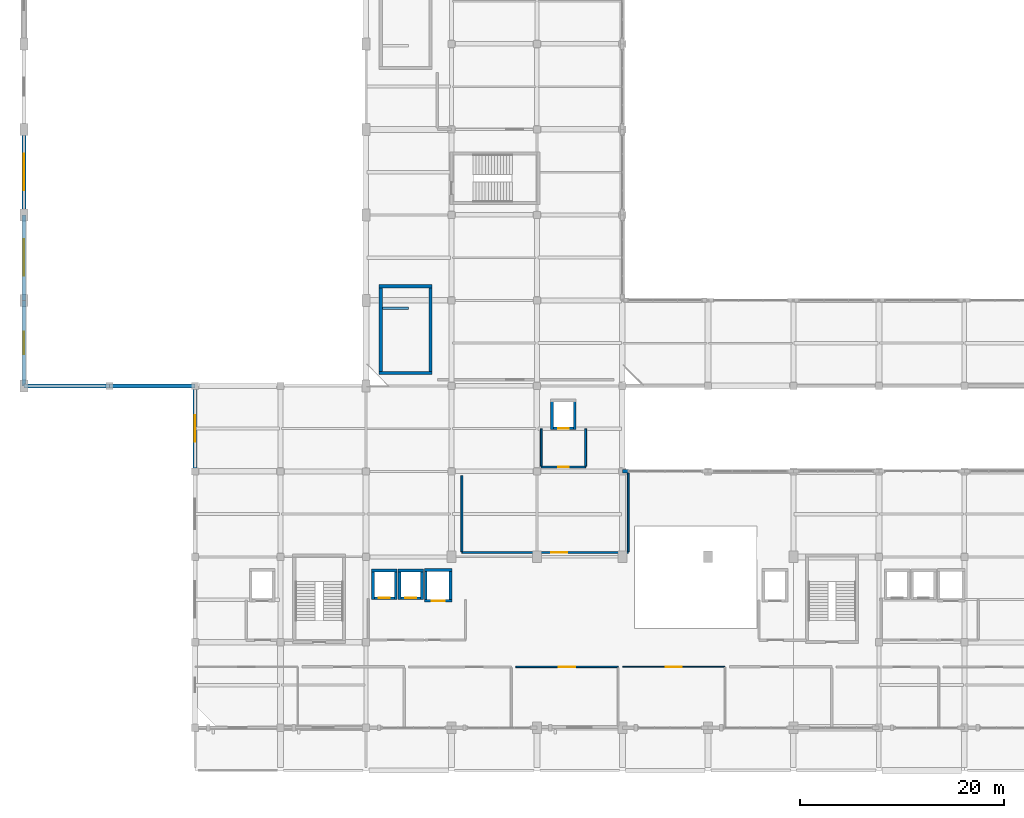
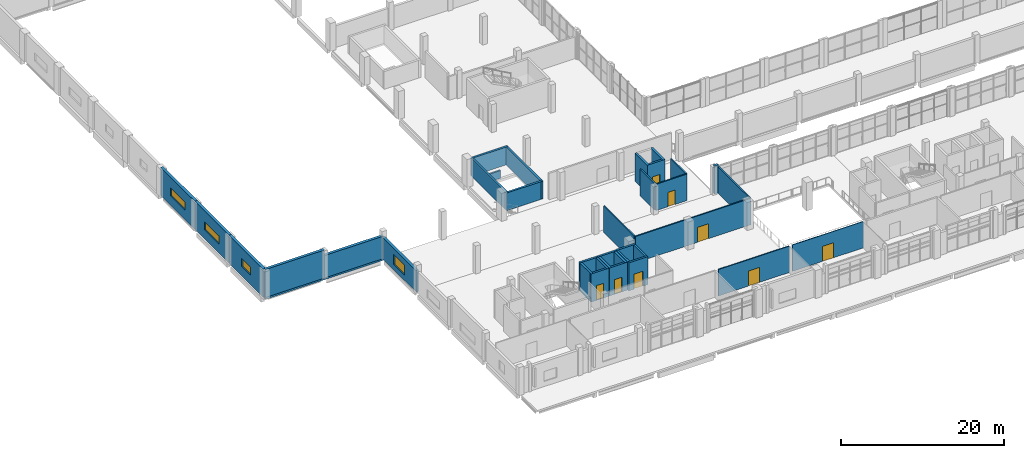
# One storey, part 47 of 59: 37 walls, 8 doors, 4 windows, 12 openings.
"""IFC4 building model written with IfcOpenShell, lengths in metres."""

from ifc_helpers import new_model, si_unit, derived_unit, direction, frame, frame_2d, origin, place, context, subcontext, project, spatial, rectangle, extrude, material, layer, layer_set, type_object, element, fill, save


model = new_model("IFC4")

# Units and contexts
model_context = context("Model", 3, precision=1e-05, world=origin(), true_north=direction((0.0, 1.0)))
body_context = subcontext(model_context, "Body", "Model", "MODEL_VIEW")
ifc_project = project(units=[si_unit("LENGTHUNIT", "METRE"), si_unit("AREAUNIT", "SQUARE_METRE"), si_unit("VOLUMEUNIT", "CUBIC_METRE"), si_unit("PLANEANGLEUNIT", "RADIAN"), si_unit("MASSUNIT", "GRAM", prefix="KILO"), derived_unit("THERMALTRANSMITTANCEUNIT", [(si_unit("POWERUNIT", "WATT"), 1), (si_unit("LENGTHUNIT", "METRE"), -2), (si_unit("THERMODYNAMICTEMPERATUREUNIT", "KELVIN"), -1)])], contexts=[model_context])

# Site, building, storey
site_placement = place(None, origin())
site = spatial("IfcSite", under=ifc_project, at=site_placement, CompositionType="ELEMENT")
building_placement = place(site_placement, origin())
building = spatial("IfcBuilding", under=site, at=building_placement, Name="Barrovel Congress Hotel", CompositionType="ELEMENT")
storey_placement = place(building_placement, frame((0.0, 0.0, 9.89990234375)))
storey = spatial("IfcBuildingStorey", under=building, at=storey_placement, Name="L02", CompositionType="ELEMENT", Elevation=9.89990234375)

# Wall
ifc_material_1 = material(Name="Fired Clay Brick Masonry", Category="masonry")
ifc_layer_1 = layer(ifc_material_1, 0.340087890625)
ifc_layer_set_1 = layer_set([ifc_layer_1], Name="Fired Clay Brick Masonry")
wall_type_1 = type_object("IfcWallType", Name="EW-BRK340", PredefinedType="STANDARD", material=ifc_layer_set_1)
wall_1_placement = place(storey_placement, frame((59.39990234375, 29.39990234375, 0.0), z_axis=(0.0, 0.0, 1.0), x_axis=(-1.0, 0.0, 0.0)))
element("IfcWall", 1, at=wall_1_placement, inside=storey, type_object=wall_type_1, Name="EW:L02:CSJ-L:7", PredefinedType="STANDARD", context=body_context, shape_type="SweptSolid", body=[
    extrude(rectangle(XDim=0.599853515625, YDim=0.340087890625, at=frame_2d((0.2998046875, 0.0))), origin(), (0.0, 0.0, 1.0), 4.2001953125),
])

# Wall, opening, window
ifc_layer_2 = layer(ifc_material_1, 0.360107421875)
ifc_layer_set_2 = layer_set([ifc_layer_2], Name="Fired Clay Brick Masonry")
wall_type_2 = type_object("IfcWallType", Name="EW-BRK360", PredefinedType="STANDARD", material=ifc_layer_set_2)
wall_2_placement = place(storey_placement, frame((16.800048828125, 37.800048828125, 0.0), z_axis=(0.0, 0.0, 1.0), x_axis=(0.0, -1.0, 0.0)))
wall_2 = element("IfcWall", 2, at=wall_2_placement, inside=storey, type_object=wall_type_2, Name="EW:L02:V4W:29.4", PredefinedType="STANDARD", context=body_context, shape_type="SweptSolid", body=[
    extrude(rectangle(XDim=8.400146484375, YDim=0.360107421875, at=frame_2d((4.2001953125, 0.0))), origin(), (0.0, 0.0, 1.0), 3.210205078125),
])
opening_1_placement = place(wall_2_placement, frame((2.89990234375, 0.0, 0.800048828125)))
opening_1 = element("IfcOpeningElement", 3, at=opening_1_placement, cuts=wall_2, Name="Opening WN-15", PredefinedType="OPENING", context=body_context, shape_type="SweptSolid", body=[
    extrude(rectangle(XDim=2.60009765625, YDim=1.5, at=frame_2d((1.300048828125, 0.75))), frame((0.0, 0.18994140625, 0.0), z_axis=(0.0, -1.0, 0.0), x_axis=(1.0, 0.0, 0.0)), (0.0, 0.0, 1.0), 0.380126953125),
])
ifc_material_2 = material(Name="Double Low-E Insulated Glazing", Category="glass")
window_type_1 = type_object("IfcWindowType", Name="WIN-WN-15", PartitioningType="SINGLE_PANEL", PredefinedType="WINDOW", material=ifc_material_2)
window_1_placement = place(opening_1_placement, origin())
window_1 = element("IfcWindow", 4, at=window_1_placement, inside=storey, type_object=window_type_1, Name="WIN:L02:V4W:29.4", OverallHeight=1.5, OverallWidth=2.60009765625, PartitioningType="SINGLE_PANEL", PredefinedType="WINDOW", context=body_context, shape_type="SweptSolid", body=[
    extrude(rectangle(XDim=2.60009765625, YDim=1.5, at=frame_2d((1.300048828125, 0.75))), frame((0.0, 0.030029296875, 0.0), z_axis=(0.0, -1.0, 0.0), x_axis=(1.0, 0.0, 0.0)), (0.0, 0.0, 1.0), 0.06005859375),
])
fill(opening_1, window_1)

ifc_layer_3 = layer(ifc_material_1, 0.3798828125)
ifc_layer_set_3 = layer_set([ifc_layer_3], Name="Fired Clay Brick Masonry")
wall_type_3 = type_object("IfcWallType", Name="EW-BRK380", PredefinedType="STANDARD", material=ifc_layer_set_3)
wall_3_placement = place(storey_placement, frame((0.0, 63.0, 0.0), z_axis=(0.0, 0.0, 1.0), x_axis=(0.0, -1.0, 0.0)))
wall_3 = element("IfcWall", 5, at=wall_3_placement, inside=storey, type_object=wall_type_3, Name="EW:L02:V1W:54.6", PredefinedType="STANDARD", context=body_context, shape_type="SweptSolid", body=[
    extrude(rectangle(XDim=8.39990234375, YDim=0.3798828125, at=frame_2d((4.199951171875, 0.0))), origin(), (0.0, 0.0, 1.0), 4.2001953125),
])
opening_2_placement = place(wall_3_placement, frame((2.39990234375, 0.0, 1.39990234375)))
opening_2 = element("IfcOpeningElement", 6, at=opening_2_placement, cuts=wall_3, Name="Opening WN-17", PredefinedType="OPENING", context=body_context, shape_type="SweptSolid", body=[
    extrude(rectangle(XDim=3.60009765625, YDim=1.199951171875, at=frame_2d((1.800048828125, 0.60009765625))), frame((0.0, 0.199951171875, 0.0), z_axis=(0.0, -1.0, 0.0), x_axis=(1.0, 0.0, 0.0)), (0.0, 0.0, 1.0), 0.39990234375),
])
window_type_2 = type_object("IfcWindowType", Name="WIN-WN-17", PartitioningType="SINGLE_PANEL", PredefinedType="WINDOW", material=ifc_material_2)
window_2_placement = place(opening_2_placement, origin())
window_2 = element("IfcWindow", 7, at=window_2_placement, inside=storey, type_object=window_type_2, Name="WIN:L02:NAVEW:54.6", OverallHeight=1.199951171875, OverallWidth=3.60009765625, PartitioningType="SINGLE_PANEL", PredefinedType="WINDOW", context=body_context, shape_type="SweptSolid", body=[
    extrude(rectangle(XDim=3.60009765625, YDim=1.199951171875, at=frame_2d((1.800048828125, 0.60009765625))), frame((0.0, 0.030029296875, 0.0), z_axis=(0.0, -1.0, 0.0), x_axis=(1.0, 0.0, 0.0)), (0.0, 0.0, 1.0), 0.06005859375),
])
fill(opening_2, window_2)

wall_4_placement = place(storey_placement, frame((0.0, 54.60009765625, 0.0), z_axis=(0.0, 0.0, 1.0), x_axis=(0.0, -1.0, 0.0)))
wall_4 = element("IfcWall", 8, at=wall_4_placement, inside=storey, type_object=wall_type_3, Name="EW:L02:V1W:46.2", PredefinedType="STANDARD", context=body_context, shape_type="SweptSolid", body=[
    extrude(rectangle(XDim=8.400146484375, YDim=0.3798828125, at=frame_2d((4.2001953125, 0.0))), origin(), (0.0, 0.0, 1.0), 4.2001953125),
])
opening_3_placement = place(wall_4_placement, frame((2.39990234375, 0.0, 1.39990234375)))
opening_3 = element("IfcOpeningElement", 9, at=opening_3_placement, cuts=wall_4, Name="Opening WN-17", PredefinedType="OPENING", context=body_context, shape_type="SweptSolid", body=[
    extrude(rectangle(XDim=3.60009765625, YDim=1.199951171875, at=frame_2d((1.800048828125, 0.60009765625))), frame((0.0, 0.199951171875, 0.0), z_axis=(0.0, -1.0, 0.0), x_axis=(1.0, 0.0, 0.0)), (0.0, 0.0, 1.0), 0.39990234375),
])
window_3_placement = place(opening_3_placement, origin())
window_3 = element("IfcWindow", 10, at=window_3_placement, inside=storey, type_object=window_type_2, Name="WIN:L02:NAVEW:46.2", OverallHeight=1.199951171875, OverallWidth=3.60009765625, PartitioningType="SINGLE_PANEL", PredefinedType="WINDOW", context=body_context, shape_type="SweptSolid", body=[
    extrude(rectangle(XDim=3.60009765625, YDim=1.199951171875, at=frame_2d((1.800048828125, 0.60009765625))), frame((0.0, 0.030029296875, 0.0), z_axis=(0.0, -1.0, 0.0), x_axis=(1.0, 0.0, 0.0)), (0.0, 0.0, 1.0), 0.06005859375),
])
fill(opening_3, window_3)

wall_5_placement = place(storey_placement, frame((0.0, 46.199951171875, 0.0), z_axis=(0.0, 0.0, 1.0), x_axis=(0.0, -1.0, 0.0)))
wall_5 = element("IfcWall", 11, at=wall_5_placement, inside=storey, type_object=wall_type_3, Name="EW:L02:V1W:37.8", PredefinedType="STANDARD", context=body_context, shape_type="SweptSolid", body=[
    extrude(rectangle(XDim=8.39990234375, YDim=0.3798828125, at=frame_2d((4.199951171875, 0.0))), origin(), (0.0, 0.0, 1.0), 4.2001953125),
])
opening_4_placement = place(wall_5_placement, frame((3.10009765625, 0.0, 1.39990234375)))
opening_4 = element("IfcOpeningElement", 12, at=opening_4_placement, cuts=wall_5, Name="Opening WN-20", PredefinedType="OPENING", context=body_context, shape_type="SweptSolid", body=[
    extrude(rectangle(XDim=2.199951171875, YDim=1.199951171875, at=frame_2d((1.10009765625, 0.60009765625))), frame((0.0, 0.199951171875, 0.0), z_axis=(0.0, -1.0, 0.0), x_axis=(1.0, 0.0, 0.0)), (0.0, 0.0, 1.0), 0.39990234375),
])
window_type_3 = type_object("IfcWindowType", Name="WIN-WN-20", PartitioningType="SINGLE_PANEL", PredefinedType="WINDOW", material=ifc_material_2)
window_4_placement = place(opening_4_placement, origin())
window_4 = element("IfcWindow", 13, at=window_4_placement, inside=storey, type_object=window_type_3, Name="WIN:L02:NAVEW:37.8", OverallHeight=1.199951171875, OverallWidth=2.199951171875, PartitioningType="SINGLE_PANEL", PredefinedType="WINDOW", context=body_context, shape_type="SweptSolid", body=[
    extrude(rectangle(XDim=2.199951171875, YDim=1.199951171875, at=frame_2d((1.10009765625, 0.60009765625))), frame((0.0, 0.030029296875, 0.0), z_axis=(0.0, -1.0, 0.0), x_axis=(1.0, 0.0, 0.0)), (0.0, 0.0, 1.0), 0.06005859375),
])
fill(opening_4, window_4)

# Walls
wall_6_placement = place(storey_placement, frame((0.0, 37.800048828125, 0.0), z_axis=(0.0, 0.0, 1.0), x_axis=(1.0, 0.0, 0.0)))
element("IfcWall", 14, at=wall_6_placement, inside=storey, type_object=wall_type_3, Name="EW:L02:V1S:0", PredefinedType="STANDARD", context=body_context, shape_type="SweptSolid", body=[
    extrude(rectangle(XDim=8.39990234375, YDim=0.3798828125, at=frame_2d((4.199951171875, 0.0))), origin(), (0.0, 0.0, 1.0), 4.2001953125),
])
wall_7_placement = place(storey_placement, frame((8.39990234375, 37.800048828125, 0.0), z_axis=(0.0, 0.0, 1.0), x_axis=(1.0, 0.0, 0.0)))
element("IfcWall", 15, at=wall_7_placement, inside=storey, type_object=wall_type_3, Name="EW:L02:V1S:1", PredefinedType="STANDARD", context=body_context, shape_type="SweptSolid", body=[
    extrude(rectangle(XDim=8.400146484375, YDim=0.3798828125, at=frame_2d((4.2001953125, 0.0))), origin(), (0.0, 0.0, 1.0), 3.360107421875),
])
wall_8_placement = place(storey_placement, frame((0.0, 37.800048828125, -0.260009765625), z_axis=(0.0, 0.0, 1.0), x_axis=(1.0, 0.0, 0.0)))
element("IfcWall", 16, at=wall_8_placement, inside=storey, type_object=wall_type_3, Name="EW:L02:V1S:0:B", PredefinedType="STANDARD", context=body_context, shape_type="SweptSolid", body=[
    extrude(rectangle(XDim=8.39990234375, YDim=0.3798828125, at=frame_2d((4.199951171875, 0.0))), origin(), (0.0, 0.0, 1.0), 0.260009765625),
])
wall_9_placement = place(storey_placement, frame((8.39990234375, 37.800048828125, -0.260009765625), z_axis=(0.0, 0.0, 1.0), x_axis=(1.0, 0.0, 0.0)))
element("IfcWall", 17, at=wall_9_placement, inside=storey, type_object=wall_type_3, Name="EW:L02:V1S:1:B", PredefinedType="STANDARD", context=body_context, shape_type="SweptSolid", body=[
    extrude(rectangle(XDim=8.400146484375, YDim=0.3798828125, at=frame_2d((4.2001953125, 0.0))), origin(), (0.0, 0.0, 1.0), 0.260009765625),
])
ifc_layer_4 = layer(ifc_material_1, 0.219970703125)
ifc_layer_set_4 = layer_set([ifc_layer_4], Name="Fired Clay Brick Masonry")
wall_type_4 = type_object("IfcWallType", Name="EW-PAR220", PredefinedType="PARAPET", material=ifc_layer_set_4)
wall_10_placement = place(storey_placement, frame((35.219970703125, 45.419921875, 0.0), z_axis=(0.0, 0.0, 1.0), x_axis=(1.0, 0.0, 0.0)))
element("IfcWall", 18, at=wall_10_placement, inside=storey, type_object=wall_type_4, Name="STAIR:XS-08:TOP-GR", PredefinedType="PARAPET", context=body_context, shape_type="SweptSolid", body=[
    extrude(rectangle(XDim=2.56005859375, YDim=0.219970703125, at=frame_2d((1.280029296875, 0.0))), origin(), (0.0, 0.0, 1.0), 1.14013671875),
])

# Wall, opening, door
ifc_material_3 = material(Name="Gypsum Acoustic Stud", Category="gypsum")
ifc_layer_5 = layer(ifc_material_3, 0.179931640625)
ifc_layer_set_5 = layer_set([ifc_layer_5], Name="Gypsum Acoustic Stud")
wall_type_5 = type_object("IfcWallType", Name="PW-ACU-180", PredefinedType="PARTITIONING", material=ifc_layer_set_5)
wall_11_placement = place(storey_placement, frame((50.820068359375, 29.820068359375, 0.0), z_axis=(0.0, 0.0, 1.0), x_axis=(1.0, 0.0, 0.0)))
wall_11 = element("IfcWall", 19, at=wall_11_placement, inside=storey, type_object=wall_type_5, Name="RW:SP:L02:LL-CL1:S", PredefinedType="PARTITIONING", context=body_context, shape_type="SweptSolid", body=[
    extrude(rectangle(XDim=4.35986328125, YDim=0.179931640625, at=frame_2d((2.179931640625, 0.0))), origin(), (0.0, 0.0, 1.0), 3.955078125),
])
opening_5_placement = place(wall_11_placement, frame((1.669921875, 0.0, 0.0)))
opening_5 = element("IfcOpeningElement", 20, at=opening_5_placement, cuts=wall_11, Name="Opening ID-ACC", PredefinedType="OPENING", context=body_context, shape_type="SweptSolid", body=[
    extrude(rectangle(XDim=1.02001953125, YDim=2.14990234375, at=frame_2d((0.510009765625, 1.074951171875))), frame((0.0, 0.10009765625, 0.0), z_axis=(0.0, -1.0, 0.0), x_axis=(1.0, 0.0, 0.0)), (0.0, 0.0, 1.0), 0.199951171875),
])
ifc_material_4 = material(Name="Solid Oak Acoustic Timber Door", Category="wood")
door_type_1 = type_object("IfcDoorType", Name="IDR-ID-ACC", OperationType="NOTDEFINED", PredefinedType="DOOR", material=ifc_material_4)
door_1_placement = place(opening_5_placement, origin())
door_1 = element("IfcDoor", 21, at=door_1_placement, inside=storey, type_object=door_type_1, Name="RD:SP:L02:LL-CL1", OperationType="SINGLE_SWING_RIGHT", OverallHeight=2.14990234375, OverallWidth=1.02001953125, PredefinedType="DOOR", context=body_context, shape_type="SweptSolid", body=[
    extrude(rectangle(XDim=1.02001953125, YDim=2.14990234375, at=frame_2d((0.510009765625, 1.074951171875))), frame((0.0, 0.02490234375, 0.0), z_axis=(0.0, -1.0, 0.0), x_axis=(1.0, 0.0, 0.0)), (0.0, 0.0, 1.0), 0.050048828125),
])
fill(opening_5, door_1)

# Walls
for number, where, z_axis, x_axis, name in (
    (22, (50.820068359375, 29.909912109375, 0.0), (0.0, 0.0, 1.0), (0.0, 1.0, 0.0), "RW:SP:L02:LL-CL1:W"),
    (23, (55.179931640625, 29.909912109375, 0.0), (0.0, 0.0, 1.0), (0.0, 1.0, 0.0), "RW:SP:L02:LL-CL1:E"),
):
    element("IfcWall", number, at=place(storey_placement, frame(where, z_axis=z_axis, x_axis=x_axis)), inside=storey, type_object=wall_type_5, Name=name, PredefinedType="PARTITIONING", context=body_context, shape_type="SweptSolid", body=[
        extrude(rectangle(XDim=3.670166015625, YDim=0.179931640625, at=frame_2d((1.8349609375, 0.0))), origin(), (0.0, 0.0, 1.0), 3.955078125),
    ])

# Wall, opening, door
wall_12_placement = place(storey_placement, frame((43.02001953125, 21.419921875, 0.0), z_axis=(0.0, 0.0, 1.0), x_axis=(1.0, 0.0, 0.0)))
wall_12 = element("IfcWall", 24, at=wall_12_placement, inside=storey, type_object=wall_type_5, Name="RW:SP:L02:LOUNG-2:S", PredefinedType="PARTITIONING", context=body_context, shape_type="SweptSolid", body=[
    extrude(rectangle(XDim=16.35986328125, YDim=0.179931640625, at=frame_2d((8.179931640625, 0.0))), origin(), (0.0, 0.0, 1.0), 3.955078125),
])
opening_6_placement = place(wall_12_placement, frame((8.780029296875, 0.0, 0.0)))
opening_6 = element("IfcOpeningElement", 25, at=opening_6_placement, cuts=wall_12, Name="Opening ID-MTG", PredefinedType="OPENING", context=body_context, shape_type="SweptSolid", body=[
    extrude(rectangle(XDim=1.60009765625, YDim=2.25, at=frame_2d((0.800048828125, 1.125))), frame((0.0, 0.10009765625, 0.0), z_axis=(0.0, -1.0, 0.0), x_axis=(1.0, 0.0, 0.0)), (0.0, 0.0, 1.0), 0.199951171875),
])
door_type_2 = type_object("IfcDoorType", Name="IDR-ID-MTG", OperationType="NOTDEFINED", PredefinedType="DOOR", material=ifc_material_4)
door_2_placement = place(opening_6_placement, origin())
door_2 = element("IfcDoor", 26, at=door_2_placement, inside=storey, type_object=door_type_2, Name="RD:SP:L02:LOUNG-2", OperationType="DOUBLE_DOOR_SINGLE_SWING", OverallHeight=2.25, OverallWidth=1.60009765625, PredefinedType="DOOR", context=body_context, shape_type="SweptSolid", body=[
    extrude(rectangle(XDim=1.60009765625, YDim=2.25, at=frame_2d((0.800048828125, 1.125))), frame((0.0, 0.02490234375, 0.0), z_axis=(0.0, -1.0, 0.0), x_axis=(1.0, 0.0, 0.0)), (0.0, 0.0, 1.0), 0.050048828125),
])
fill(opening_6, door_2)

# Walls
wall_13_placement = place(storey_placement, frame((43.02001953125, 21.510009765625, 0.0), z_axis=(0.0, 0.0, 1.0), x_axis=(0.0, 1.0, 0.0)))
element("IfcWall", 27, at=wall_13_placement, inside=storey, type_object=wall_type_5, Name="RW:SP:L02:LOUNG-2:W", PredefinedType="PARTITIONING", context=body_context, shape_type="SweptSolid", body=[
    extrude(rectangle(XDim=7.469970703125, YDim=0.179931640625, at=frame_2d((3.73486328125, 0.0))), origin(), (0.0, 0.0, 1.0), 3.955078125),
])
wall_14_placement = place(storey_placement, frame((59.3798828125, 21.510009765625, 0.0), z_axis=(0.0, 0.0, 1.0), x_axis=(0.0, 1.0, 0.0)))
element("IfcWall", 28, at=wall_14_placement, inside=storey, type_object=wall_type_5, Name="RW:SP:L02:LOUNG-2:E", PredefinedType="PARTITIONING", context=body_context, shape_type="SweptSolid", body=[
    extrude(rectangle(XDim=7.719970703125, YDim=0.179931640625, at=frame_2d((3.85986328125, 0.0))), origin(), (0.0, 0.0, 1.0), 3.955078125),
])

# Wall, opening, door
ifc_layer_6 = layer(ifc_material_3, 0.10009765625)
ifc_layer_set_6 = layer_set([ifc_layer_6], Name="Gypsum Acoustic Stud")
wall_type_6 = type_object("IfcWallType", Name="PW-LGT-100", PredefinedType="PARTITIONING", material=ifc_layer_set_6)
wall_15_placement = place(storey_placement, frame((58.820068359375, 10.179931640625, 0.0), z_axis=(0.0, 0.0, 1.0), x_axis=(1.0, 0.0, 0.0)))
wall_15 = element("IfcWall", 29, at=wall_15_placement, inside=storey, type_object=wall_type_6, Name="RW:SP:L02:BM-13:N", PredefinedType="PARTITIONING", context=body_context, shape_type="SweptSolid", body=[
    extrude(rectangle(XDim=10.059814453125, YDim=0.10009765625, at=frame_2d((5.02978515625, 0.0))), origin(), (0.0, 0.0, 1.0), 3.955078125),
])
opening_7_placement = place(wall_15_placement, frame((4.22998046875, 0.0, 0.0)))
opening_7 = element("IfcOpeningElement", 30, at=opening_7_placement, cuts=wall_15, Name="Opening ID-MTG", PredefinedType="OPENING", context=body_context, shape_type="SweptSolid", body=[
    extrude(rectangle(XDim=1.60009765625, YDim=2.25, at=frame_2d((0.800048828125, 1.125))), frame((0.0, 0.06005859375, 0.0), z_axis=(0.0, -1.0, 0.0), x_axis=(1.0, 0.0, 0.0)), (0.0, 0.0, 1.0), 0.1201171875),
])
door_3_placement = place(opening_7_placement, origin())
door_3 = element("IfcDoor", 31, at=door_3_placement, inside=storey, type_object=door_type_2, Name="RD:SP:L02:BM-13", OperationType="DOUBLE_DOOR_SINGLE_SWING", OverallHeight=2.25, OverallWidth=1.60009765625, PredefinedType="DOOR", context=body_context, shape_type="SweptSolid", body=[
    extrude(rectangle(XDim=1.60009765625, YDim=2.25, at=frame_2d((0.800048828125, 1.125))), frame((0.0, 0.02490234375, 0.0), z_axis=(0.0, -1.0, 0.0), x_axis=(1.0, 0.0, 0.0)), (0.0, 0.0, 1.0), 0.050048828125),
])
fill(opening_7, door_3)

ifc_layer_7 = layer(ifc_material_3, 0.14990234375)
ifc_layer_set_7 = layer_set([ifc_layer_7], Name="Gypsum Acoustic Stud")
wall_type_7 = type_object("IfcWallType", Name="PW-STD-150", PredefinedType="PARTITIONING", material=ifc_layer_set_7)
wall_16_placement = place(storey_placement, frame((48.320068359375, 10.179931640625, 0.0), z_axis=(0.0, 0.0, 1.0), x_axis=(1.0, 0.0, 0.0)))
wall_16 = element("IfcWall", 32, at=wall_16_placement, inside=storey, type_object=wall_type_7, Name="RW:SP:L02:BM-12:N", PredefinedType="PARTITIONING", context=body_context, shape_type="SweptSolid", body=[
    extrude(rectangle(XDim=10.059814453125, YDim=0.14990234375, at=frame_2d((5.02978515625, 0.0))), origin(), (0.0, 0.0, 1.0), 3.955078125),
])
opening_8_placement = place(wall_16_placement, frame((4.22998046875, 0.0, 0.0)))
opening_8 = element("IfcOpeningElement", 33, at=opening_8_placement, cuts=wall_16, Name="Opening ID-MTG", PredefinedType="OPENING", context=body_context, shape_type="SweptSolid", body=[
    extrude(rectangle(XDim=1.60009765625, YDim=2.25, at=frame_2d((0.800048828125, 1.125))), frame((0.0, 0.0849609375, 0.0), z_axis=(0.0, -1.0, 0.0), x_axis=(1.0, 0.0, 0.0)), (0.0, 0.0, 1.0), 0.169921875),
])
door_4_placement = place(opening_8_placement, origin())
door_4 = element("IfcDoor", 34, at=door_4_placement, inside=storey, type_object=door_type_2, Name="RD:SP:L02:BM-12", OperationType="DOUBLE_DOOR_SINGLE_SWING", OverallHeight=2.25, OverallWidth=1.60009765625, PredefinedType="DOOR", context=body_context, shape_type="SweptSolid", body=[
    extrude(rectangle(XDim=1.60009765625, YDim=2.25, at=frame_2d((0.800048828125, 1.125))), frame((0.0, 0.02490234375, 0.0), z_axis=(0.0, -1.0, 0.0), x_axis=(1.0, 0.0, 0.0)), (0.0, 0.0, 1.0), 0.050048828125),
])
fill(opening_8, door_4)

ifc_material_5 = material(Name="Concrete C40", Category="concrete")
ifc_layer_8 = layer(ifc_material_5, 0.280029296875)
ifc_layer_set_8 = layer_set([ifc_layer_8], Name="Concrete C40")
wall_type_8 = type_object("IfcWallType", Name="SW-C40-280", PredefinedType="SHEAR", material=ifc_layer_set_8)
wall_17_placement = place(storey_placement, frame((34.139892578125, 16.929931640625, 0.0), z_axis=(0.0, 0.0, 1.0), x_axis=(1.0, 0.0, 0.0)))
wall_17 = element("IfcWall", 35, at=wall_17_placement, inside=storey, type_object=wall_type_8, Name="LSH:PL-1:L02:S", PredefinedType="SHEAR", context=body_context, shape_type="SweptSolid", body=[
    extrude(rectangle(XDim=2.52001953125, YDim=0.280029296875, at=frame_2d((1.260009765625, 0.0))), origin(), (0.0, 0.0, 1.0), 4.2001953125),
])
opening_9_placement = place(wall_17_placement, frame((0.735107421875, 0.0, 0.0)))
opening_9 = element("IfcOpeningElement", 36, at=opening_9_placement, cuts=wall_17, Name="Opening LD-PAX", PredefinedType="OPENING", context=body_context, shape_type="SweptSolid", body=[
    extrude(rectangle(XDim=1.050048828125, YDim=2.199951171875, at=frame_2d((0.52490234375, 1.10009765625))), frame((0.0, 0.14990234375, 0.0), z_axis=(0.0, -1.0, 0.0), x_axis=(1.0, 0.0, 0.0)), (0.0, 0.0, 1.0), 0.300048828125),
])
ifc_material_6 = material(Name="Brushed Stainless Steel", Category="steel")
door_type_3 = type_object("IfcDoorType", Name="IDR-LD-PAX", OperationType="NOTDEFINED", PredefinedType="DOOR", material=ifc_material_6)
door_5_placement = place(opening_9_placement, origin())
door_5 = element("IfcDoor", 37, at=door_5_placement, inside=storey, type_object=door_type_3, Name="Lift Landing Door LD-PL-1-L02", OperationType="SLIDING_TO_LEFT", OverallHeight=2.199951171875, OverallWidth=1.050048828125, PredefinedType="DOOR", context=body_context, shape_type="SweptSolid", body=[
    extrude(rectangle(XDim=1.050048828125, YDim=2.199951171875, at=frame_2d((0.52490234375, 1.10009765625))), frame((0.0, 0.02490234375, 0.0), z_axis=(0.0, -1.0, 0.0), x_axis=(1.0, 0.0, 0.0)), (0.0, 0.0, 1.0), 0.050048828125),
])
fill(opening_9, door_5)

# Walls
wall_18_placement = place(storey_placement, frame((36.52001953125, 16.7900390625, 0.0), z_axis=(0.0, 0.0, 1.0), x_axis=(0.0, 1.0, 0.0)))
element("IfcWall", 38, at=wall_18_placement, inside=storey, type_object=wall_type_8, Name="LSH:PL-1:L02:E", PredefinedType="SHEAR", context=body_context, shape_type="SweptSolid", body=[
    extrude(rectangle(XDim=3.02001953125, YDim=0.280029296875, at=frame_2d((1.510009765625, 0.0))), origin(), (0.0, 0.0, 1.0), 4.2001953125),
])
wall_19_placement = place(storey_placement, frame((36.659912109375, 19.669921875, 0.0), z_axis=(0.0, 0.0, 1.0), x_axis=(-1.0, 0.0, 0.0)))
element("IfcWall", 39, at=wall_19_placement, inside=storey, type_object=wall_type_8, Name="LSH:PL-1:L02:N", PredefinedType="SHEAR", context=body_context, shape_type="SweptSolid", body=[
    extrude(rectangle(XDim=2.52001953125, YDim=0.280029296875, at=frame_2d((1.260009765625, 0.0))), origin(), (0.0, 0.0, 1.0), 4.2001953125),
])
wall_20_placement = place(storey_placement, frame((34.280029296875, 19.81005859375, 0.0), z_axis=(0.0, 0.0, 1.0), x_axis=(0.0, -1.0, 0.0)))
element("IfcWall", 40, at=wall_20_placement, inside=storey, type_object=wall_type_8, Name="LSH:PL-1:L02:W", PredefinedType="SHEAR", context=body_context, shape_type="SweptSolid", body=[
    extrude(rectangle(XDim=3.02001953125, YDim=0.280029296875, at=frame_2d((1.510009765625, 0.0))), origin(), (0.0, 0.0, 1.0), 4.2001953125),
])

# Wall, opening, door
wall_21_placement = place(storey_placement, frame((36.739990234375, 16.929931640625, 0.0), z_axis=(0.0, 0.0, 1.0), x_axis=(1.0, 0.0, 0.0)))
wall_21 = element("IfcWall", 41, at=wall_21_placement, inside=storey, type_object=wall_type_8, Name="LSH:PL-2:L02:S", PredefinedType="SHEAR", context=body_context, shape_type="SweptSolid", body=[
    extrude(rectangle(XDim=2.52001953125, YDim=0.280029296875, at=frame_2d((1.260009765625, 0.0))), origin(), (0.0, 0.0, 1.0), 4.2001953125),
])
opening_10_placement = place(wall_21_placement, frame((0.735107421875, 0.0, 0.0)))
opening_10 = element("IfcOpeningElement", 42, at=opening_10_placement, cuts=wall_21, Name="Opening LD-PAX", PredefinedType="OPENING", context=body_context, shape_type="SweptSolid", body=[
    extrude(rectangle(XDim=1.050048828125, YDim=2.199951171875, at=frame_2d((0.52490234375, 1.10009765625))), frame((0.0, 0.14990234375, 0.0), z_axis=(0.0, -1.0, 0.0), x_axis=(1.0, 0.0, 0.0)), (0.0, 0.0, 1.0), 0.300048828125),
])
door_6_placement = place(opening_10_placement, origin())
door_6 = element("IfcDoor", 43, at=door_6_placement, inside=storey, type_object=door_type_3, Name="Lift Landing Door LD-PL-2-L02", OperationType="SLIDING_TO_LEFT", OverallHeight=2.199951171875, OverallWidth=1.050048828125, PredefinedType="DOOR", context=body_context, shape_type="SweptSolid", body=[
    extrude(rectangle(XDim=1.050048828125, YDim=2.199951171875, at=frame_2d((0.52490234375, 1.10009765625))), frame((0.0, 0.02490234375, 0.0), z_axis=(0.0, -1.0, 0.0), x_axis=(1.0, 0.0, 0.0)), (0.0, 0.0, 1.0), 0.050048828125),
])
fill(opening_10, door_6)

# Walls
wall_22_placement = place(storey_placement, frame((39.1201171875, 16.7900390625, 0.0), z_axis=(0.0, 0.0, 1.0), x_axis=(0.0, 1.0, 0.0)))
element("IfcWall", 44, at=wall_22_placement, inside=storey, type_object=wall_type_8, Name="LSH:PL-2:L02:E", PredefinedType="SHEAR", context=body_context, shape_type="SweptSolid", body=[
    extrude(rectangle(XDim=3.02001953125, YDim=0.280029296875, at=frame_2d((1.510009765625, 0.0))), origin(), (0.0, 0.0, 1.0), 4.2001953125),
])
wall_23_placement = place(storey_placement, frame((39.260009765625, 19.669921875, 0.0), z_axis=(0.0, 0.0, 1.0), x_axis=(-1.0, 0.0, 0.0)))
element("IfcWall", 45, at=wall_23_placement, inside=storey, type_object=wall_type_8, Name="LSH:PL-2:L02:N", PredefinedType="SHEAR", context=body_context, shape_type="SweptSolid", body=[
    extrude(rectangle(XDim=2.52001953125, YDim=0.280029296875, at=frame_2d((1.260009765625, 0.0))), origin(), (0.0, 0.0, 1.0), 4.2001953125),
])
wall_24_placement = place(storey_placement, frame((36.8798828125, 19.81005859375, 0.0), z_axis=(0.0, 0.0, 1.0), x_axis=(0.0, -1.0, 0.0)))
element("IfcWall", 46, at=wall_24_placement, inside=storey, type_object=wall_type_8, Name="LSH:PL-2:L02:W", PredefinedType="SHEAR", context=body_context, shape_type="SweptSolid", body=[
    extrude(rectangle(XDim=3.02001953125, YDim=0.280029296875, at=frame_2d((1.510009765625, 0.0))), origin(), (0.0, 0.0, 1.0), 4.2001953125),
])

# Wall, opening, door
wall_25_placement = place(storey_placement, frame((51.739990234375, 33.6298828125, 0.0), z_axis=(0.0, 0.0, 1.0), x_axis=(1.0, 0.0, 0.0)))
wall_25 = element("IfcWall", 47, at=wall_25_placement, inside=storey, type_object=wall_type_8, Name="LSH:CL-1:L02:S", PredefinedType="SHEAR", context=body_context, shape_type="SweptSolid", body=[
    extrude(rectangle(XDim=2.52001953125, YDim=0.280029296875, at=frame_2d((1.260009765625, 0.0))), origin(), (0.0, 0.0, 1.0), 4.2001953125),
])
opening_11_placement = place(wall_25_placement, frame((0.735107421875, 0.0, 0.0)))
opening_11 = element("IfcOpeningElement", 48, at=opening_11_placement, cuts=wall_25, Name="Opening LD-PAX", PredefinedType="OPENING", context=body_context, shape_type="SweptSolid", body=[
    extrude(rectangle(XDim=1.050048828125, YDim=2.199951171875, at=frame_2d((0.52490234375, 1.10009765625))), frame((0.0, 0.14990234375, 0.0), z_axis=(0.0, -1.0, 0.0), x_axis=(1.0, 0.0, 0.0)), (0.0, 0.0, 1.0), 0.300048828125),
])
door_7_placement = place(opening_11_placement, origin())
door_7 = element("IfcDoor", 49, at=door_7_placement, inside=storey, type_object=door_type_3, Name="Lift Landing Door LD-CL-1-L02", OperationType="SLIDING_TO_LEFT", OverallHeight=2.199951171875, OverallWidth=1.050048828125, PredefinedType="DOOR", context=body_context, shape_type="SweptSolid", body=[
    extrude(rectangle(XDim=1.050048828125, YDim=2.199951171875, at=frame_2d((0.52490234375, 1.10009765625))), frame((0.0, 0.02490234375, 0.0), z_axis=(0.0, -1.0, 0.0), x_axis=(1.0, 0.0, 0.0)), (0.0, 0.0, 1.0), 0.050048828125),
])
fill(opening_11, door_7)

# Walls
for number, where, z_axis, x_axis, name in (
    (50, (54.1201171875, 33.489990234375, 0.0), (0.0, 0.0, 1.0), (0.0, 1.0, 0.0), "LSH:CL-1:L02:E"),
    (51, (51.8798828125, 36.510009765625, 0.0), (0.0, 0.0, 1.0), (0.0, -1.0, 0.0), "LSH:CL-1:L02:W"),
):
    element("IfcWall", number, at=place(storey_placement, frame(where, z_axis=z_axis, x_axis=x_axis)), inside=storey, type_object=wall_type_8, Name=name, PredefinedType="SHEAR", context=body_context, shape_type="SweptSolid", body=[
        extrude(rectangle(XDim=3.02001953125, YDim=0.280029296875, at=frame_2d((1.510009765625, 0.0))), origin(), (0.0, 0.0, 1.0), 4.2001953125),
    ])

# Wall, opening, door
wall_26_placement = place(storey_placement, frame((39.340087890625, 16.679931640625, 0.0), z_axis=(0.0, 0.0, 1.0), x_axis=(1.0, 0.0, 0.0)))
wall_26 = element("IfcWall", 52, at=wall_26_placement, inside=storey, type_object=wall_type_8, Name="LSH:SL-1:L02:S", PredefinedType="SHEAR", context=body_context, shape_type="SweptSolid", body=[
    extrude(rectangle(XDim=2.719970703125, YDim=0.280029296875, at=frame_2d((1.35986328125, 0.0))), origin(), (0.0, 0.0, 1.0), 4.2001953125),
])
opening_12_placement = place(wall_26_placement, frame((0.7099609375, 0.0, 0.0)))
opening_12 = element("IfcOpeningElement", 53, at=opening_12_placement, cuts=wall_26, Name="Opening LD-SRV", PredefinedType="OPENING", context=body_context, shape_type="SweptSolid", body=[
    extrude(rectangle(XDim=1.300048828125, YDim=2.25, at=frame_2d((0.64990234375, 1.125))), frame((0.0, 0.14990234375, 0.0), z_axis=(0.0, -1.0, 0.0), x_axis=(1.0, 0.0, 0.0)), (0.0, 0.0, 1.0), 0.300048828125),
])
door_type_4 = type_object("IfcDoorType", Name="IDR-LD-SRV", OperationType="NOTDEFINED", PredefinedType="DOOR", material=ifc_material_6)
door_8_placement = place(opening_12_placement, origin())
door_8 = element("IfcDoor", 54, at=door_8_placement, inside=storey, type_object=door_type_4, Name="Lift Landing Door LD-SL-1-L02", OperationType="SLIDING_TO_LEFT", OverallHeight=2.25, OverallWidth=1.300048828125, PredefinedType="DOOR", context=body_context, shape_type="SweptSolid", body=[
    extrude(rectangle(XDim=1.300048828125, YDim=2.25, at=frame_2d((0.64990234375, 1.125))), frame((0.0, 0.02490234375, 0.0), z_axis=(0.0, -1.0, 0.0), x_axis=(1.0, 0.0, 0.0)), (0.0, 0.0, 1.0), 0.050048828125),
])
fill(opening_12, door_8)

# Walls
wall_27_placement = place(storey_placement, frame((41.919921875, 16.5400390625, 0.0), z_axis=(0.0, 0.0, 1.0), x_axis=(0.0, 1.0, 0.0)))
element("IfcWall", 55, at=wall_27_placement, inside=storey, type_object=wall_type_8, Name="LSH:SL-1:L02:E", PredefinedType="SHEAR", context=body_context, shape_type="SweptSolid", body=[
    extrude(rectangle(XDim=3.320068359375, YDim=0.280029296875, at=frame_2d((1.66015625, 0.0))), origin(), (0.0, 0.0, 1.0), 4.2001953125),
])
wall_28_placement = place(storey_placement, frame((42.06005859375, 19.719970703125, 0.0), z_axis=(0.0, 0.0, 1.0), x_axis=(-1.0, 0.0, 0.0)))
element("IfcWall", 56, at=wall_28_placement, inside=storey, type_object=wall_type_8, Name="LSH:SL-1:L02:N", PredefinedType="SHEAR", context=body_context, shape_type="SweptSolid", body=[
    extrude(rectangle(XDim=2.719970703125, YDim=0.280029296875, at=frame_2d((1.35986328125, 0.0))), origin(), (0.0, 0.0, 1.0), 4.2001953125),
])
wall_29_placement = place(storey_placement, frame((39.47998046875, 19.860107421875, 0.0), z_axis=(0.0, 0.0, 1.0), x_axis=(0.0, -1.0, 0.0)))
element("IfcWall", 57, at=wall_29_placement, inside=storey, type_object=wall_type_8, Name="LSH:SL-1:L02:W", PredefinedType="SHEAR", context=body_context, shape_type="SweptSolid", body=[
    extrude(rectangle(XDim=3.320068359375, YDim=0.280029296875, at=frame_2d((1.66015625, 0.0))), origin(), (0.0, 0.0, 1.0), 4.2001953125),
])
ifc_layer_9 = layer(ifc_material_5, 0.300048828125)
ifc_layer_set_9 = layer_set([ifc_layer_9], Name="Concrete C40")
wall_type_9 = type_object("IfcWallType", Name="SW-C40-300", PredefinedType="SHEAR", material=ifc_layer_set_9)
wall_30_placement = place(storey_placement, frame((34.89990234375, 39.050048828125, 0.0), z_axis=(0.0, 0.0, 1.0), x_axis=(1.0, 0.0, 0.0)))
element("IfcWall", 58, at=wall_30_placement, inside=storey, type_object=wall_type_9, Name="SHW:XS-08:L02:S", PredefinedType="SHEAR", context=body_context, shape_type="SweptSolid", body=[
    extrude(rectangle(XDim=5.2001953125, YDim=0.300048828125, at=frame_2d((2.60009765625, 0.0))), origin(), (0.0, 0.0, 1.0), 2.650146484375),
])
wall_31_placement = place(storey_placement, frame((39.949951171875, 38.89990234375, 0.0), z_axis=(0.0, 0.0, 1.0), x_axis=(0.0, 1.0, 0.0)))
element("IfcWall", 59, at=wall_31_placement, inside=storey, type_object=wall_type_9, Name="SHW:XS-08:L02:E", PredefinedType="SHEAR", context=body_context, shape_type="SweptSolid", body=[
    extrude(rectangle(XDim=8.840087890625, YDim=0.300048828125, at=frame_2d((4.419921875, 0.0))), origin(), (0.0, 0.0, 1.0), 2.650146484375),
])
wall_32_placement = place(storey_placement, frame((40.10009765625, 47.590087890625, 0.0), z_axis=(0.0, 0.0, 1.0), x_axis=(-1.0, 0.0, 0.0)))
element("IfcWall", 60, at=wall_32_placement, inside=storey, type_object=wall_type_9, Name="SHW:XS-08:L02:N", PredefinedType="SHEAR", context=body_context, shape_type="SweptSolid", body=[
    extrude(rectangle(XDim=5.2001953125, YDim=0.300048828125, at=frame_2d((2.60009765625, 0.0))), origin(), (0.0, 0.0, 1.0), 2.650146484375),
])
wall_33_placement = place(storey_placement, frame((35.050048828125, 47.739990234375, 0.0), z_axis=(0.0, 0.0, 1.0), x_axis=(0.0, -1.0, 0.0)))
element("IfcWall", 61, at=wall_33_placement, inside=storey, type_object=wall_type_9, Name="SHW:XS-08:L02:W", PredefinedType="SHEAR", context=body_context, shape_type="SweptSolid", body=[
    extrude(rectangle(XDim=8.840087890625, YDim=0.300048828125, at=frame_2d((4.419921875, 0.0))), origin(), (0.0, 0.0, 1.0), 2.650146484375),
])

save(model, "model.ifc")
